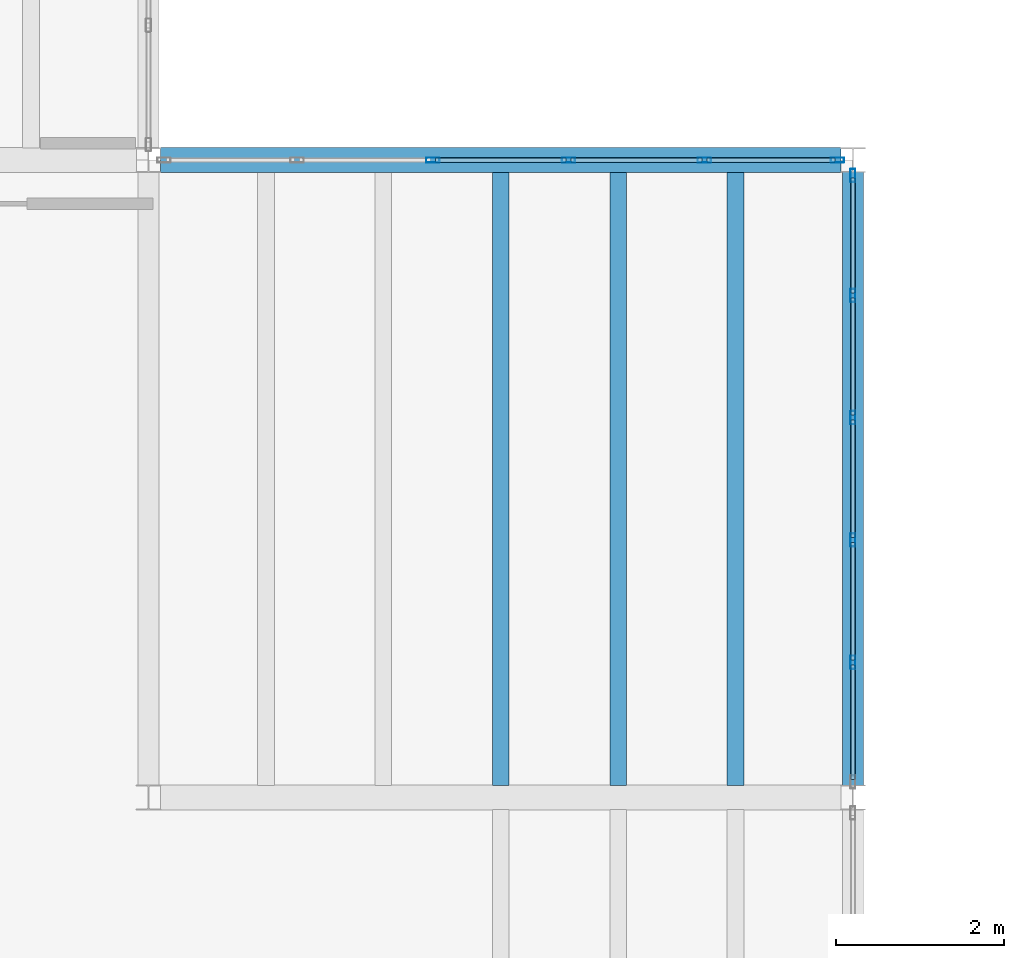
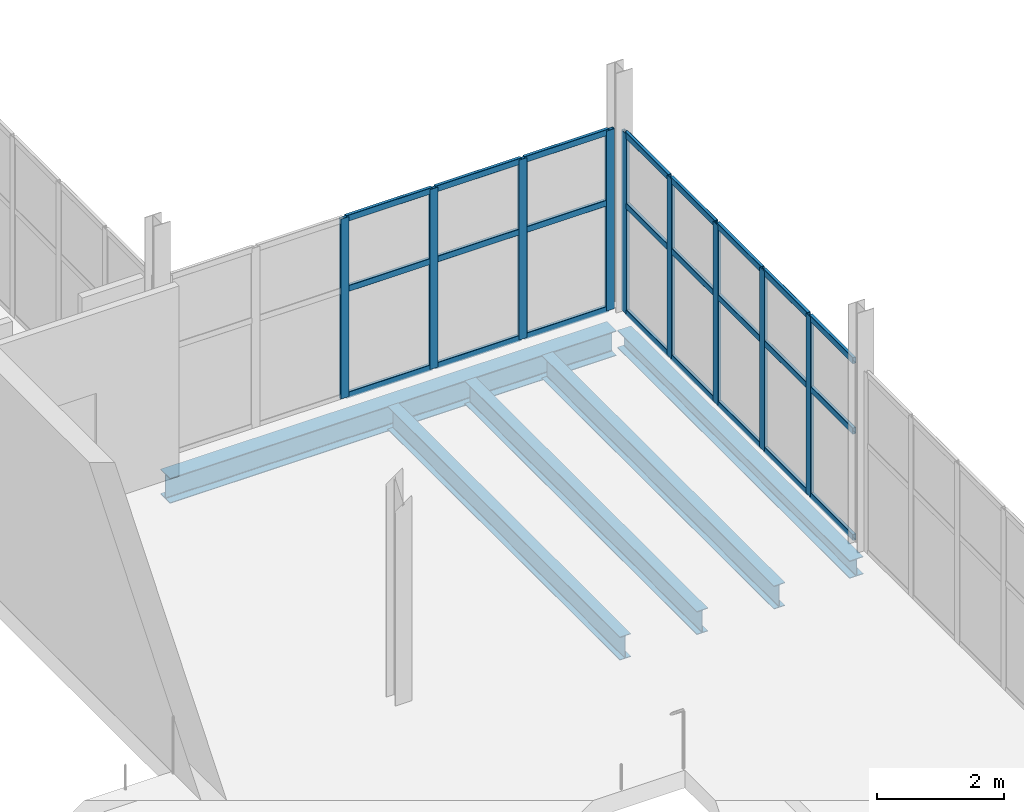
# One storey, part 21 of 136: 33 members, 5 beams, 2 elements without a shape of their own.
"""IFC4 building model written with IfcOpenShell, lengths in metres."""

from ifc_helpers import new_model, si_unit, direction, frame, origin, origin_2d, place, context, subcontext, project, spatial, hollow_rectangle, i_section, extrude, material, material_profile, profile_set, type_object, element, aggregate, save


model = new_model("IFC4")

# Units and contexts
model_context = context("Model", 3, precision=1e-05, world=origin(), true_north=direction((0.0, 1.0)))
body_context = subcontext(model_context, "Body", "Model", "MODEL_VIEW")
ifc_project = project(units=[si_unit("LENGTHUNIT", "METRE"), si_unit("AREAUNIT", "SQUARE_METRE"), si_unit("VOLUMEUNIT", "CUBIC_METRE"), si_unit("PLANEANGLEUNIT", "RADIAN"), si_unit("MASSUNIT", "GRAM", prefix="KILO")], contexts=[model_context])

# Site, building, storey
site_placement = place(None, origin())
site = spatial("IfcSite", under=ifc_project, at=site_placement, CompositionType="ELEMENT")
building_placement = place(site_placement, origin())
building = spatial("IfcBuilding", under=site, at=building_placement, Name="Shengluoqiao Park Theatre", CompositionType="ELEMENT")
storey_placement = place(building_placement, frame((0.0, 0.0, 10.0)))
storey = spatial("IfcBuildingStorey", under=building, at=storey_placement, Name="L02", CompositionType="ELEMENT", Elevation=10.0)

# Curtain wall, members
ifc_material_1 = material(Name="Aluminium 6063-T6", Category="aluminium")
curtain_wall_type = type_object("IfcCurtainWallType", Name="ENV-CW-COURT", PredefinedType="NOTDEFINED", material=ifc_material_1)
curtain_wall_1_placement = place(storey_placement, origin())
curtain_wall_1 = element("IfcCurtainWall", 1, at=curtain_wall_1_placement, inside=storey, type_object=curtain_wall_type, Name="L02 Curtain Wall CWX-L02-0163", PredefinedType="NOTDEFINED")
ifc_material_profile_1 = material_profile(ifc_material_1, hollow_rectangle(XDim=0.06005859375, YDim=0.159912109375, WallThickness=0.00390625, InnerFilletRadius=0.00390625, OuterFilletRadius=0.008056640625, at=origin_2d()), Name="ALU MULLION 160x60x4")
ifc_profile_set_1 = profile_set([ifc_material_profile_1], Name="Aluminium 6063-T6")
member_type_1 = type_object("IfcMemberType", Name="ENV-MUL-160", PredefinedType="MULLION", material=ifc_profile_set_1)
member_1_placement = place(storey_placement, frame((44.39990234375, 16.8125, 0.0), z_axis=(0.0, 0.0, 1.0), x_axis=(-1.0, 0.0, 0.0)))
member_1 = element("IfcMember", 2, at=member_1_placement, type_object=member_type_1, Name="CW-05 mullion 2", PredefinedType="MULLION", context=body_context, shape_type="SweptSolid", body=[
    extrude(hollow_rectangle(XDim=0.06005859375, YDim=0.159912109375, WallThickness=0.00390625, InnerFilletRadius=0.00390625, OuterFilletRadius=0.008056640625, at=origin_2d()), origin(), (0.0, 0.0, 1.0), 3.4580078125),
])
member_2_placement = place(storey_placement, frame((44.39990234375, 18.270751953125, 0.0), z_axis=(0.0, 0.0, 1.0), x_axis=(-1.0, 0.0, 0.0)))
member_2 = element("IfcMember", 3, at=member_2_placement, type_object=member_type_1, Name="CW-05 mullion 3", PredefinedType="MULLION", context=body_context, shape_type="SweptSolid", body=[
    extrude(hollow_rectangle(XDim=0.06005859375, YDim=0.159912109375, WallThickness=0.00390625, InnerFilletRadius=0.00390625, OuterFilletRadius=0.008056640625, at=origin_2d()), origin(), (0.0, 0.0, 1.0), 3.4580078125),
])
member_3_placement = place(storey_placement, frame((44.39990234375, 19.729248046875, 0.0), z_axis=(0.0, 0.0, 1.0), x_axis=(-1.0, 0.0, 0.0)))
member_3 = element("IfcMember", 4, at=member_3_placement, type_object=member_type_1, Name="CW-05 mullion 4", PredefinedType="MULLION", context=body_context, shape_type="SweptSolid", body=[
    extrude(hollow_rectangle(XDim=0.06005859375, YDim=0.159912109375, WallThickness=0.00390625, InnerFilletRadius=0.00390625, OuterFilletRadius=0.008056640625, at=origin_2d()), origin(), (0.0, 0.0, 1.0), 3.4580078125),
])
member_4_placement = place(storey_placement, frame((44.39990234375, 21.1875, 0.0), z_axis=(0.0, 0.0, 1.0), x_axis=(-1.0, 0.0, 0.0)))
member_4 = element("IfcMember", 5, at=member_4_placement, type_object=member_type_1, Name="CW-05 mullion 5", PredefinedType="MULLION", context=body_context, shape_type="SweptSolid", body=[
    extrude(hollow_rectangle(XDim=0.06005859375, YDim=0.159912109375, WallThickness=0.00390625, InnerFilletRadius=0.00390625, OuterFilletRadius=0.008056640625, at=origin_2d()), origin(), (0.0, 0.0, 1.0), 3.4580078125),
])
member_5_placement = place(storey_placement, frame((44.39990234375, 22.615966796875, 0.0), z_axis=(0.0, 0.0, 1.0), x_axis=(-1.0, 0.0, 0.0)))
member_5 = element("IfcMember", 6, at=member_5_placement, type_object=member_type_1, Name="CW-05 mullion 6", PredefinedType="MULLION", context=body_context, shape_type="SweptSolid", body=[
    extrude(hollow_rectangle(XDim=0.06005859375, YDim=0.159912109375, WallThickness=0.00390625, InnerFilletRadius=0.00390625, OuterFilletRadius=0.008056640625, at=origin_2d()), origin(), (0.0, 0.0, 1.0), 3.4580078125),
])

curtain_wall_2_placement = place(storey_placement, origin())
curtain_wall_2 = element("IfcCurtainWall", 7, at=curtain_wall_2_placement, inside=storey, type_object=curtain_wall_type, Name="L02 Curtain Wall CWX-L02-0164", PredefinedType="NOTDEFINED")
member_6_placement = place(storey_placement, frame((39.390869140625, 22.800048828125, 0.0), z_axis=(0.0, 0.0, 1.0), x_axis=(0.0, 1.0, 0.0)))
member_6 = element("IfcMember", 8, at=member_6_placement, type_object=member_type_1, Name="CW-05 mullion 3", PredefinedType="MULLION", context=body_context, shape_type="SweptSolid", body=[
    extrude(hollow_rectangle(XDim=0.06005859375, YDim=0.159912109375, WallThickness=0.00390625, InnerFilletRadius=0.00390625, OuterFilletRadius=0.008056640625, at=origin_2d()), origin(), (0.0, 0.0, 1.0), 3.4580078125),
])
member_7_placement = place(storey_placement, frame((41.00927734375, 22.800048828125, 0.0), z_axis=(0.0, 0.0, 1.0), x_axis=(0.0, 1.0, 0.0)))
member_7 = element("IfcMember", 9, at=member_7_placement, type_object=member_type_1, Name="CW-05 mullion 4", PredefinedType="MULLION", context=body_context, shape_type="SweptSolid", body=[
    extrude(hollow_rectangle(XDim=0.06005859375, YDim=0.159912109375, WallThickness=0.00390625, InnerFilletRadius=0.00390625, OuterFilletRadius=0.008056640625, at=origin_2d()), origin(), (0.0, 0.0, 1.0), 3.4580078125),
])
member_8_placement = place(storey_placement, frame((42.627685546875, 22.800048828125, 0.0), z_axis=(0.0, 0.0, 1.0), x_axis=(0.0, 1.0, 0.0)))
member_8 = element("IfcMember", 10, at=member_8_placement, type_object=member_type_1, Name="CW-05 mullion 5", PredefinedType="MULLION", context=body_context, shape_type="SweptSolid", body=[
    extrude(hollow_rectangle(XDim=0.06005859375, YDim=0.159912109375, WallThickness=0.00390625, InnerFilletRadius=0.00390625, OuterFilletRadius=0.008056640625, at=origin_2d()), origin(), (0.0, 0.0, 1.0), 3.4580078125),
])
member_9_placement = place(storey_placement, frame((44.216064453125, 22.800048828125, 0.0), z_axis=(0.0, 0.0, 1.0), x_axis=(0.0, 1.0, 0.0)))
member_9 = element("IfcMember", 11, at=member_9_placement, type_object=member_type_1, Name="CW-05 mullion 6", PredefinedType="MULLION", context=body_context, shape_type="SweptSolid", body=[
    extrude(hollow_rectangle(XDim=0.06005859375, YDim=0.159912109375, WallThickness=0.00390625, InnerFilletRadius=0.00390625, OuterFilletRadius=0.008056640625, at=origin_2d()), origin(), (0.0, 0.0, 1.0), 3.4580078125),
])

# Member
ifc_material_profile_2 = material_profile(ifc_material_1, hollow_rectangle(XDim=0.06005859375, YDim=0.1201171875, WallThickness=0.00390625, InnerFilletRadius=0.00390625, OuterFilletRadius=0.008056640625, at=origin_2d()), Name="ALU TRANSOM 120x60x4")
ifc_profile_set_2 = profile_set([ifc_material_profile_2], Name="Aluminium 6063-T6")
member_type_2 = type_object("IfcMemberType", Name="ENV-TRN-120", PredefinedType="USERDEFINED", material=ifc_profile_set_2)
member_10_placement = place(storey_placement, frame((44.39990234375, 15.4140625, 0.030029296875), z_axis=(0.0, 1.0, 0.0), x_axis=(-1.0, 0.0, 0.0)))
member_10 = element("IfcMember", 12, at=member_10_placement, type_object=member_type_2, Name="CW-05 transom 1.1", ObjectType="TRANSOM", PredefinedType="USERDEFINED", context=body_context, shape_type="SweptSolid", body=[
    extrude(hollow_rectangle(XDim=0.06005859375, YDim=0.1201171875, WallThickness=0.00390625, InnerFilletRadius=0.00390625, OuterFilletRadius=0.008056640625, at=origin_2d()), origin(), (0.0, 0.0, 1.0), 1.368408203125),
])

member_11_placement = place(storey_placement, frame((44.39990234375, 15.4140625, 2.074951171875), z_axis=(0.0, 1.0, 0.0), x_axis=(-1.0, 0.0, 0.0)))
member_11 = element("IfcMember", 13, at=member_11_placement, type_object=member_type_2, Name="CW-05 transom 1.2", ObjectType="TRANSOM", PredefinedType="USERDEFINED", context=body_context, shape_type="SweptSolid", body=[
    extrude(hollow_rectangle(XDim=0.06005859375, YDim=0.1201171875, WallThickness=0.00390625, InnerFilletRadius=0.00390625, OuterFilletRadius=0.008056640625, at=origin_2d()), origin(), (0.0, 0.0, 1.0), 1.368408203125),
])

member_12_placement = place(storey_placement, frame((44.39990234375, 15.4140625, 3.427978515625), z_axis=(0.0, 1.0, 0.0), x_axis=(-1.0, 0.0, 0.0)))
member_12 = element("IfcMember", 14, at=member_12_placement, type_object=member_type_2, Name="CW-05 transom 1.3", ObjectType="TRANSOM", PredefinedType="USERDEFINED", context=body_context, shape_type="SweptSolid", body=[
    extrude(hollow_rectangle(XDim=0.06005859375, YDim=0.1201171875, WallThickness=0.00390625, InnerFilletRadius=0.00390625, OuterFilletRadius=0.008056640625, at=origin_2d()), origin(), (0.0, 0.0, 1.0), 1.368408203125),
])

member_13_placement = place(storey_placement, frame((44.39990234375, 16.84228515625, 0.030029296875), z_axis=(0.0, 1.0, 0.0), x_axis=(-1.0, 0.0, 0.0)))
member_13 = element("IfcMember", 15, at=member_13_placement, type_object=member_type_2, Name="CW-05 transom 2.1", ObjectType="TRANSOM", PredefinedType="USERDEFINED", context=body_context, shape_type="SweptSolid", body=[
    extrude(hollow_rectangle(XDim=0.06005859375, YDim=0.1201171875, WallThickness=0.00390625, InnerFilletRadius=0.00390625, OuterFilletRadius=0.008056640625, at=origin_2d()), origin(), (0.0, 0.0, 1.0), 1.3984375),
])

member_14_placement = place(storey_placement, frame((44.39990234375, 16.84228515625, 2.074951171875), z_axis=(0.0, 1.0, 0.0), x_axis=(-1.0, 0.0, 0.0)))
member_14 = element("IfcMember", 16, at=member_14_placement, type_object=member_type_2, Name="CW-05 transom 2.2", ObjectType="TRANSOM", PredefinedType="USERDEFINED", context=body_context, shape_type="SweptSolid", body=[
    extrude(hollow_rectangle(XDim=0.06005859375, YDim=0.1201171875, WallThickness=0.00390625, InnerFilletRadius=0.00390625, OuterFilletRadius=0.008056640625, at=origin_2d()), origin(), (0.0, 0.0, 1.0), 1.3984375),
])

member_15_placement = place(storey_placement, frame((44.39990234375, 16.84228515625, 3.427978515625), z_axis=(0.0, 1.0, 0.0), x_axis=(-1.0, 0.0, 0.0)))
member_15 = element("IfcMember", 17, at=member_15_placement, type_object=member_type_2, Name="CW-05 transom 2.3", ObjectType="TRANSOM", PredefinedType="USERDEFINED", context=body_context, shape_type="SweptSolid", body=[
    extrude(hollow_rectangle(XDim=0.06005859375, YDim=0.1201171875, WallThickness=0.00390625, InnerFilletRadius=0.00390625, OuterFilletRadius=0.008056640625, at=origin_2d()), origin(), (0.0, 0.0, 1.0), 1.3984375),
])

member_16_placement = place(storey_placement, frame((44.39990234375, 18.30078125, 0.030029296875), z_axis=(0.0, 1.0, 0.0), x_axis=(-1.0, 0.0, 0.0)))
member_16 = element("IfcMember", 18, at=member_16_placement, type_object=member_type_2, Name="CW-05 transom 3.1", ObjectType="TRANSOM", PredefinedType="USERDEFINED", context=body_context, shape_type="SweptSolid", body=[
    extrude(hollow_rectangle(XDim=0.06005859375, YDim=0.1201171875, WallThickness=0.00390625, InnerFilletRadius=0.00390625, OuterFilletRadius=0.008056640625, at=origin_2d()), origin(), (0.0, 0.0, 1.0), 1.3984375),
])

member_17_placement = place(storey_placement, frame((44.39990234375, 18.30078125, 2.074951171875), z_axis=(0.0, 1.0, 0.0), x_axis=(-1.0, 0.0, 0.0)))
member_17 = element("IfcMember", 19, at=member_17_placement, type_object=member_type_2, Name="CW-05 transom 3.2", ObjectType="TRANSOM", PredefinedType="USERDEFINED", context=body_context, shape_type="SweptSolid", body=[
    extrude(hollow_rectangle(XDim=0.06005859375, YDim=0.1201171875, WallThickness=0.00390625, InnerFilletRadius=0.00390625, OuterFilletRadius=0.008056640625, at=origin_2d()), origin(), (0.0, 0.0, 1.0), 1.3984375),
])

member_18_placement = place(storey_placement, frame((44.39990234375, 18.30078125, 3.427978515625), z_axis=(0.0, 1.0, 0.0), x_axis=(-1.0, 0.0, 0.0)))
member_18 = element("IfcMember", 20, at=member_18_placement, type_object=member_type_2, Name="CW-05 transom 3.3", ObjectType="TRANSOM", PredefinedType="USERDEFINED", context=body_context, shape_type="SweptSolid", body=[
    extrude(hollow_rectangle(XDim=0.06005859375, YDim=0.1201171875, WallThickness=0.00390625, InnerFilletRadius=0.00390625, OuterFilletRadius=0.008056640625, at=origin_2d()), origin(), (0.0, 0.0, 1.0), 1.3984375),
])

member_19_placement = place(storey_placement, frame((44.39990234375, 19.75927734375, 0.030029296875), z_axis=(0.0, 1.0, 0.0), x_axis=(-1.0, 0.0, 0.0)))
member_19 = element("IfcMember", 21, at=member_19_placement, type_object=member_type_2, Name="CW-05 transom 4.1", ObjectType="TRANSOM", PredefinedType="USERDEFINED", context=body_context, shape_type="SweptSolid", body=[
    extrude(hollow_rectangle(XDim=0.06005859375, YDim=0.1201171875, WallThickness=0.00390625, InnerFilletRadius=0.00390625, OuterFilletRadius=0.008056640625, at=origin_2d()), origin(), (0.0, 0.0, 1.0), 1.3984375),
])

member_20_placement = place(storey_placement, frame((44.39990234375, 19.75927734375, 2.074951171875), z_axis=(0.0, 1.0, 0.0), x_axis=(-1.0, 0.0, 0.0)))
member_20 = element("IfcMember", 22, at=member_20_placement, type_object=member_type_2, Name="CW-05 transom 4.2", ObjectType="TRANSOM", PredefinedType="USERDEFINED", context=body_context, shape_type="SweptSolid", body=[
    extrude(hollow_rectangle(XDim=0.06005859375, YDim=0.1201171875, WallThickness=0.00390625, InnerFilletRadius=0.00390625, OuterFilletRadius=0.008056640625, at=origin_2d()), origin(), (0.0, 0.0, 1.0), 1.3984375),
])

member_21_placement = place(storey_placement, frame((44.39990234375, 19.75927734375, 3.427978515625), z_axis=(0.0, 1.0, 0.0), x_axis=(-1.0, 0.0, 0.0)))
member_21 = element("IfcMember", 23, at=member_21_placement, type_object=member_type_2, Name="CW-05 transom 4.3", ObjectType="TRANSOM", PredefinedType="USERDEFINED", context=body_context, shape_type="SweptSolid", body=[
    extrude(hollow_rectangle(XDim=0.06005859375, YDim=0.1201171875, WallThickness=0.00390625, InnerFilletRadius=0.00390625, OuterFilletRadius=0.008056640625, at=origin_2d()), origin(), (0.0, 0.0, 1.0), 1.3984375),
])

member_22_placement = place(storey_placement, frame((44.39990234375, 21.217529296875, 0.030029296875), z_axis=(0.0, 1.0, 0.0), x_axis=(-1.0, 0.0, 0.0)))
member_22 = element("IfcMember", 24, at=member_22_placement, type_object=member_type_2, Name="CW-05 transom 5.1", ObjectType="TRANSOM", PredefinedType="USERDEFINED", context=body_context, shape_type="SweptSolid", body=[
    extrude(hollow_rectangle(XDim=0.06005859375, YDim=0.1201171875, WallThickness=0.00390625, InnerFilletRadius=0.00390625, OuterFilletRadius=0.008056640625, at=origin_2d()), origin(), (0.0, 0.0, 1.0), 1.368408203125),
])

member_23_placement = place(storey_placement, frame((44.39990234375, 21.217529296875, 2.074951171875), z_axis=(0.0, 1.0, 0.0), x_axis=(-1.0, 0.0, 0.0)))
member_23 = element("IfcMember", 25, at=member_23_placement, type_object=member_type_2, Name="CW-05 transom 5.2", ObjectType="TRANSOM", PredefinedType="USERDEFINED", context=body_context, shape_type="SweptSolid", body=[
    extrude(hollow_rectangle(XDim=0.06005859375, YDim=0.1201171875, WallThickness=0.00390625, InnerFilletRadius=0.00390625, OuterFilletRadius=0.008056640625, at=origin_2d()), origin(), (0.0, 0.0, 1.0), 1.368408203125),
])

member_24_placement = place(storey_placement, frame((44.39990234375, 21.217529296875, 3.427978515625), z_axis=(0.0, 1.0, 0.0), x_axis=(-1.0, 0.0, 0.0)))
member_24 = element("IfcMember", 26, at=member_24_placement, type_object=member_type_2, Name="CW-05 transom 5.3", ObjectType="TRANSOM", PredefinedType="USERDEFINED", context=body_context, shape_type="SweptSolid", body=[
    extrude(hollow_rectangle(XDim=0.06005859375, YDim=0.1201171875, WallThickness=0.00390625, InnerFilletRadius=0.00390625, OuterFilletRadius=0.008056640625, at=origin_2d()), origin(), (0.0, 0.0, 1.0), 1.368408203125),
])

aggregate(curtain_wall_1, [member_1, member_2, member_3, member_4, member_5, member_10, member_11, member_12, member_13, member_14, member_15, member_16, member_17, member_18, member_19, member_20, member_21, member_22, member_23, member_24])

member_25_placement = place(storey_placement, frame((39.4208984375, 22.800048828125, 0.030029296875), z_axis=(1.0, 0.0, 0.0), x_axis=(0.0, 1.0, 0.0)))
member_25 = element("IfcMember", 27, at=member_25_placement, type_object=member_type_2, Name="CW-05 transom 3.1", ObjectType="TRANSOM", PredefinedType="USERDEFINED", context=body_context, shape_type="SweptSolid", body=[
    extrude(hollow_rectangle(XDim=0.06005859375, YDim=0.1201171875, WallThickness=0.00390625, InnerFilletRadius=0.00390625, OuterFilletRadius=0.008056640625, at=origin_2d()), origin(), (0.0, 0.0, 1.0), 1.558349609375),
])

member_26_placement = place(storey_placement, frame((39.4208984375, 22.800048828125, 2.074951171875), z_axis=(1.0, 0.0, 0.0), x_axis=(0.0, 1.0, 0.0)))
member_26 = element("IfcMember", 28, at=member_26_placement, type_object=member_type_2, Name="CW-05 transom 3.2", ObjectType="TRANSOM", PredefinedType="USERDEFINED", context=body_context, shape_type="SweptSolid", body=[
    extrude(hollow_rectangle(XDim=0.06005859375, YDim=0.1201171875, WallThickness=0.00390625, InnerFilletRadius=0.00390625, OuterFilletRadius=0.008056640625, at=origin_2d()), origin(), (0.0, 0.0, 1.0), 1.558349609375),
])

member_27_placement = place(storey_placement, frame((39.4208984375, 22.800048828125, 3.427978515625), z_axis=(1.0, 0.0, 0.0), x_axis=(0.0, 1.0, 0.0)))
member_27 = element("IfcMember", 29, at=member_27_placement, type_object=member_type_2, Name="CW-05 transom 3.3", ObjectType="TRANSOM", PredefinedType="USERDEFINED", context=body_context, shape_type="SweptSolid", body=[
    extrude(hollow_rectangle(XDim=0.06005859375, YDim=0.1201171875, WallThickness=0.00390625, InnerFilletRadius=0.00390625, OuterFilletRadius=0.008056640625, at=origin_2d()), origin(), (0.0, 0.0, 1.0), 1.558349609375),
])

member_28_placement = place(storey_placement, frame((41.039306640625, 22.800048828125, 0.030029296875), z_axis=(1.0, 0.0, 0.0), x_axis=(0.0, 1.0, 0.0)))
member_28 = element("IfcMember", 30, at=member_28_placement, type_object=member_type_2, Name="CW-05 transom 4.1", ObjectType="TRANSOM", PredefinedType="USERDEFINED", context=body_context, shape_type="SweptSolid", body=[
    extrude(hollow_rectangle(XDim=0.06005859375, YDim=0.1201171875, WallThickness=0.00390625, InnerFilletRadius=0.00390625, OuterFilletRadius=0.008056640625, at=origin_2d()), origin(), (0.0, 0.0, 1.0), 1.558349609375),
])

member_29_placement = place(storey_placement, frame((41.039306640625, 22.800048828125, 2.074951171875), z_axis=(1.0, 0.0, 0.0), x_axis=(0.0, 1.0, 0.0)))
member_29 = element("IfcMember", 31, at=member_29_placement, type_object=member_type_2, Name="CW-05 transom 4.2", ObjectType="TRANSOM", PredefinedType="USERDEFINED", context=body_context, shape_type="SweptSolid", body=[
    extrude(hollow_rectangle(XDim=0.06005859375, YDim=0.1201171875, WallThickness=0.00390625, InnerFilletRadius=0.00390625, OuterFilletRadius=0.008056640625, at=origin_2d()), origin(), (0.0, 0.0, 1.0), 1.558349609375),
])

member_30_placement = place(storey_placement, frame((41.039306640625, 22.800048828125, 3.427978515625), z_axis=(1.0, 0.0, 0.0), x_axis=(0.0, 1.0, 0.0)))
member_30 = element("IfcMember", 32, at=member_30_placement, type_object=member_type_2, Name="CW-05 transom 4.3", ObjectType="TRANSOM", PredefinedType="USERDEFINED", context=body_context, shape_type="SweptSolid", body=[
    extrude(hollow_rectangle(XDim=0.06005859375, YDim=0.1201171875, WallThickness=0.00390625, InnerFilletRadius=0.00390625, OuterFilletRadius=0.008056640625, at=origin_2d()), origin(), (0.0, 0.0, 1.0), 1.558349609375),
])

member_31_placement = place(storey_placement, frame((42.65771484375, 22.800048828125, 0.030029296875), z_axis=(1.0, 0.0, 0.0), x_axis=(0.0, 1.0, 0.0)))
member_31 = element("IfcMember", 33, at=member_31_placement, type_object=member_type_2, Name="CW-05 transom 5.1", ObjectType="TRANSOM", PredefinedType="USERDEFINED", context=body_context, shape_type="SweptSolid", body=[
    extrude(hollow_rectangle(XDim=0.06005859375, YDim=0.1201171875, WallThickness=0.00390625, InnerFilletRadius=0.00390625, OuterFilletRadius=0.008056640625, at=origin_2d()), origin(), (0.0, 0.0, 1.0), 1.5283203125),
])

member_32_placement = place(storey_placement, frame((42.65771484375, 22.800048828125, 2.074951171875), z_axis=(1.0, 0.0, 0.0), x_axis=(0.0, 1.0, 0.0)))
member_32 = element("IfcMember", 34, at=member_32_placement, type_object=member_type_2, Name="CW-05 transom 5.2", ObjectType="TRANSOM", PredefinedType="USERDEFINED", context=body_context, shape_type="SweptSolid", body=[
    extrude(hollow_rectangle(XDim=0.06005859375, YDim=0.1201171875, WallThickness=0.00390625, InnerFilletRadius=0.00390625, OuterFilletRadius=0.008056640625, at=origin_2d()), origin(), (0.0, 0.0, 1.0), 1.5283203125),
])

member_33_placement = place(storey_placement, frame((42.65771484375, 22.800048828125, 3.427978515625), z_axis=(1.0, 0.0, 0.0), x_axis=(0.0, 1.0, 0.0)))
member_33 = element("IfcMember", 35, at=member_33_placement, type_object=member_type_2, Name="CW-05 transom 5.3", ObjectType="TRANSOM", PredefinedType="USERDEFINED", context=body_context, shape_type="SweptSolid", body=[
    extrude(hollow_rectangle(XDim=0.06005859375, YDim=0.1201171875, WallThickness=0.00390625, InnerFilletRadius=0.00390625, OuterFilletRadius=0.008056640625, at=origin_2d()), origin(), (0.0, 0.0, 1.0), 1.5283203125),
])

aggregate(curtain_wall_2, [member_6, member_7, member_8, member_9, member_25, member_26, member_27, member_28, member_29, member_30, member_31, member_32, member_33])

# Beams
ifc_material_2 = material(Name="Steel Q355", Category="steel")
ifc_material_profile_3 = material_profile(ifc_material_2, i_section(OverallWidth=0.25, OverallDepth=0.340087890625, WebThickness=0.009033203125, FlangeThickness=0.013916015625, FilletRadius=0.01611328125, at=origin_2d()), Name="HM 340x250x9x14")
ifc_profile_set_3 = profile_set([ifc_material_profile_3], Name="Steel Q355")
beam_type_1 = type_object("IfcBeamType", Name="STR-BM-G-HM340", PredefinedType="BEAM", material=ifc_profile_set_3)
beam_1_placement = place(storey_placement, frame((44.39990234375, 15.343994140625, -0.510009765625), z_axis=(0.0, 1.0, 0.0), x_axis=(-1.0, 0.0, 0.0)))
element("IfcBeam", 36, at=beam_1_placement, inside=storey, type_object=beam_type_1, Name="L02 Transverse Girder 00915", PredefinedType="BEAM", context=body_context, shape_type="SweptSolid", body=[
    extrude(i_section(OverallWidth=0.25, OverallDepth=0.340087890625, WebThickness=0.009033203125, FlangeThickness=0.013916015625, FilletRadius=0.01611328125, at=origin_2d()), origin(), (0.0, 0.0, 1.0), 7.31201171875),
])
ifc_material_profile_4 = material_profile(ifc_material_2, i_section(OverallWidth=0.300048828125, OverallDepth=0.48193359375, WebThickness=0.010986328125, FlangeThickness=0.014892578125, FilletRadius=0.02197265625, at=origin_2d()), Name="HM 482x300x11x15")
ifc_profile_set_4 = profile_set([ifc_material_profile_4], Name="Steel Q355")
beam_type_2 = type_object("IfcBeamType", Name="STR-BM-G-HM482", PredefinedType="BEAM", material=ifc_profile_set_4)
beam_2_placement = place(storey_placement, frame((36.14404296875, 22.800048828125, -0.5810546875), z_axis=(1.0, 0.0, 0.0), x_axis=(0.0, 1.0, 0.0)))
element("IfcBeam", 37, at=beam_2_placement, inside=storey, type_object=beam_type_2, Name="L02 Primary Girder 00910", PredefinedType="BEAM", context=body_context, shape_type="SweptSolid", body=[
    extrude(i_section(OverallWidth=0.300048828125, OverallDepth=0.48193359375, WebThickness=0.010986328125, FlangeThickness=0.014892578125, FilletRadius=0.02197265625, at=origin_2d()), origin(), (0.0, 0.0, 1.0), 8.112060546875),
])
ifc_material_profile_5 = material_profile(ifc_material_2, i_section(OverallWidth=0.199951171875, OverallDepth=0.449951171875, WebThickness=0.009033203125, FlangeThickness=0.013916015625, FilletRadius=0.01611328125, at=origin_2d()), Name="HN 450x200x9x14")
ifc_profile_set_5 = profile_set([ifc_material_profile_5], Name="Steel Q355")
beam_type_3 = type_object("IfcBeamType", Name="STR-BM-J-HN450", PredefinedType="JOIST", material=ifc_profile_set_5)
for number, where, z_axis, x_axis, name in (
    (38, (40.199951171875, 15.344970703125, -0.56494140625), (0.0, 1.0, 0.0), (-1.0, 0.0, 0.0), "L02 Composite Joist 00929"),
    (39, (41.60009765625, 15.344970703125, -0.56494140625), (0.0, 1.0, 0.0), (-1.0, 0.0, 0.0), "L02 Composite Joist 00930"),
    (40, (43.0, 15.344970703125, -0.56494140625), (0.0, 1.0, 0.0), (-1.0, 0.0, 0.0), "L02 Composite Joist 00931"),
):
    element("IfcBeam", number, at=place(storey_placement, frame(where, z_axis=z_axis, x_axis=x_axis)), inside=storey, type_object=beam_type_3, Name=name, PredefinedType="JOIST", context=body_context, shape_type="SweptSolid", body=[
        extrude(i_section(OverallWidth=0.199951171875, OverallDepth=0.449951171875, WebThickness=0.009033203125, FlangeThickness=0.013916015625, FilletRadius=0.01611328125, at=origin_2d()), origin(), (0.0, 0.0, 1.0), 7.31005859375),
    ])

save(model, "model.ifc")
